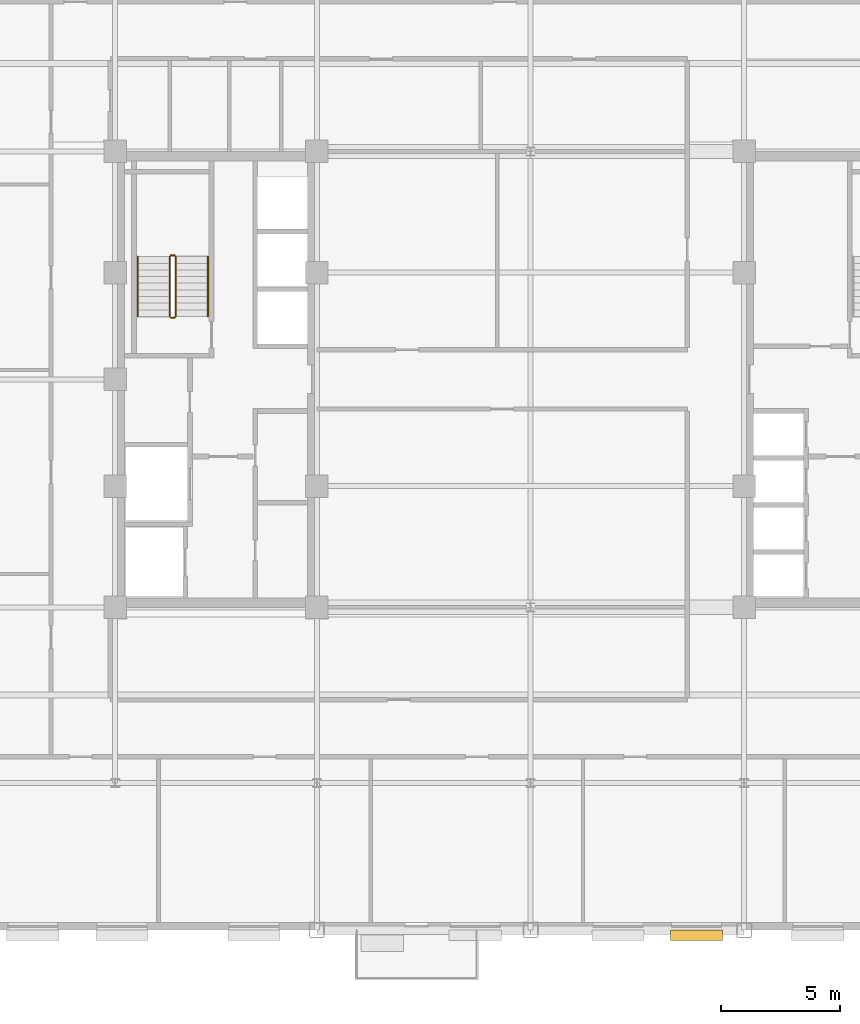
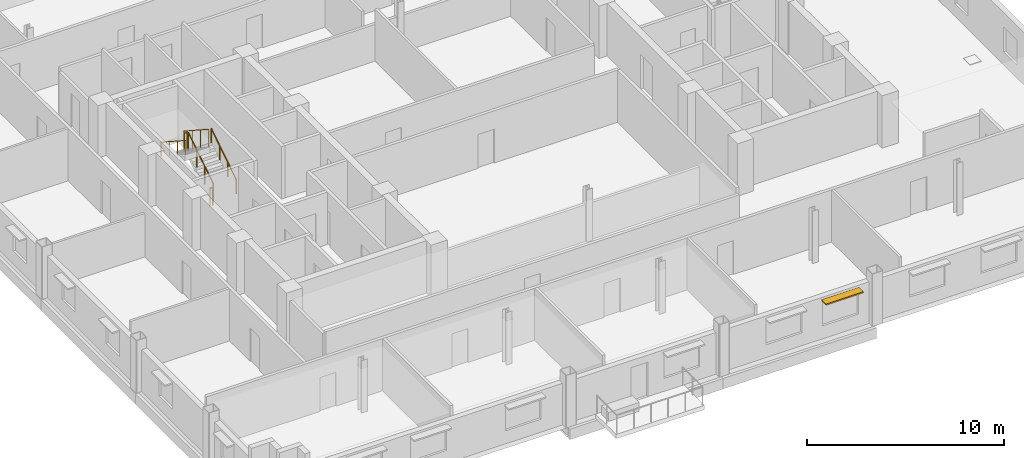
# One storey, part 12 of 14: 6 railings, 1 shading device.
"""IFC4 building model written with IfcOpenShell, lengths in metres."""

from ifc_helpers import new_model, si_unit, direction, frame, origin, origin_2d, place, context, subcontext, project, spatial, rectangle, circle, extrude, source, transform, mapped, material, type_object, type_shapes, element, save


model = new_model("IFC4")

# Units and contexts
model_context = context("Model", 3, precision=1e-05, world=origin(), true_north=direction((0.0, 1.0)))
body_context = subcontext(model_context, "Body", "Model", "MODEL_VIEW")
ifc_project = project(units=[si_unit("LENGTHUNIT", "METRE"), si_unit("AREAUNIT", "SQUARE_METRE"), si_unit("VOLUMEUNIT", "CUBIC_METRE"), si_unit("PLANEANGLEUNIT", "RADIAN"), si_unit("MASSUNIT", "GRAM", prefix="KILO")], contexts=[model_context])

# Site, building, storey
site_placement = place(None, origin())
site = spatial("IfcSite", under=ifc_project, at=site_placement, CompositionType="ELEMENT")
building_placement = place(site_placement, origin())
building = spatial("IfcBuilding", under=site, at=building_placement, Name="Nuvemarco Arch Tower", CompositionType="ELEMENT")
storey_placement = place(building_placement, frame((0.0, 0.0, 164.0)))
storey = spatial("IfcBuildingStorey", under=building, at=storey_placement, Name="L43", CompositionType="ELEMENT", Elevation=164.0)

# Railings
ifc_material_1 = material(Name="Brushed stainless steel handrail", Category="steel")
railing_type_1 = type_object("IfcRailingType", Name="RL-HANDRAIL-900", PredefinedType="HANDRAIL", material=ifc_material_1)
railing_1_placement = place(storey_placement, frame((-13.590087890625, 2.64990234375, 0.1826171875)))
element("IfcRailing", 1, at=railing_1_placement, inside=storey, type_object=railing_type_1, Name="L43 ST-1 stair handrail 1", PredefinedType="HANDRAIL", context=body_context, shape_type="SweptSolid", body=[
    extrude(circle(Radius=0.02392578125, at=origin_2d()), frame((0.0, 0.0, 0.8759765625), z_axis=(0.0, 0.837786554691, 0.545997883492), x_axis=(-1.0, 0.0, 0.0)), (0.0, 0.0, 1.0), 3.008056640625),
    extrude(circle(Radius=0.02099609375, at=origin_2d()), origin(), (0.0, 0.0, 1.0), 0.851806640625),
    extrude(circle(Radius=0.02099609375, at=origin_2d()), frame((0.0, 0.840087890625, 0.54736328125)), (0.0, 0.0, 1.0), 0.851806640625),
    extrude(circle(Radius=0.02099609375, at=origin_2d()), frame((0.0, 1.679931640625, 1.094970703125)), (0.0, 0.0, 1.0), 0.851806640625),
    extrude(circle(Radius=0.02099609375, at=origin_2d()), frame((0.0, 2.52001953125, 1.642333984375)), (0.0, 0.0, 1.0), 0.851806640625),
])
railing_2_placement = place(storey_placement, frame((-16.550048828125, 5.169921875, 2.007568359375)))
element("IfcRailing", 2, at=railing_2_placement, inside=storey, type_object=railing_type_1, Name="L43 ST-1 stair handrail 2", PredefinedType="HANDRAIL", context=body_context, shape_type="SweptSolid", body=[
    extrude(circle(Radius=0.02392578125, at=origin_2d()), frame((0.0, 0.0, 0.8759765625), z_axis=(0.0, -0.837786554691, 0.545997883492), x_axis=(1.0, 0.0, 0.0)), (0.0, 0.0, 1.0), 3.008056640625),
    extrude(circle(Radius=0.02099609375, at=origin_2d()), origin(), (0.0, 0.0, 1.0), 0.851806640625),
    extrude(circle(Radius=0.02099609375, at=origin_2d()), frame((0.0, -0.840087890625, 0.54736328125)), (0.0, 0.0, 1.0), 0.851806640625),
    extrude(circle(Radius=0.02099609375, at=origin_2d()), frame((0.0, -1.679931640625, 1.094970703125)), (0.0, 0.0, 1.0), 0.851806640625),
    extrude(circle(Radius=0.02099609375, at=origin_2d()), frame((0.0, -2.52001953125, 1.642333984375)), (0.0, 0.0, 1.0), 0.851806640625),
])
ifc_material_2 = material(Name="Painted balustrade steel S355", Category="steel")
railing_type_2 = type_object("IfcRailingType", Name="RL-STAIR-GUARD", PredefinedType="GUARDRAIL", material=ifc_material_2)
railing_3_placement = place(storey_placement, frame((-14.93994140625, 2.64990234375, 0.1826171875)))
element("IfcRailing", 3, at=railing_3_placement, inside=storey, type_object=railing_type_2, Name="L43 ST-1 stair guard 1", PredefinedType="GUARDRAIL", context=body_context, shape_type="SweptSolid", body=[
    extrude(circle(Radius=0.02392578125, at=origin_2d()), frame((0.0, 0.0, 1.09619140625), z_axis=(0.0, 0.837786554691, 0.545997883492), x_axis=(-1.0, 0.0, 0.0)), (0.0, 0.0, 1.0), 3.008056640625),
    extrude(circle(Radius=0.02099609375, at=origin_2d()), origin(), (0.0, 0.0, 1.0), 1.072021484375),
    extrude(circle(Radius=0.02099609375, at=origin_2d()), frame((0.0, 0.840087890625, 0.54736328125)), (0.0, 0.0, 1.0), 1.072021484375),
    extrude(circle(Radius=0.02099609375, at=origin_2d()), frame((0.0, 1.679931640625, 1.094970703125)), (0.0, 0.0, 1.0), 1.072021484375),
    extrude(circle(Radius=0.02099609375, at=origin_2d()), frame((0.0, 2.52001953125, 1.642333984375)), (0.0, 0.0, 1.0), 1.072021484375),
])
railing_4_placement = place(storey_placement, frame((-14.989990234375, 5.219970703125, 1.824951171875)))
element("IfcRailing", 4, at=railing_4_placement, inside=storey, type_object=railing_type_2, Name="L43 ST-1 stair guard 2", PredefinedType="GUARDRAIL", context=body_context, shape_type="SweptSolid", body=[
    extrude(circle(Radius=0.02392578125, at=origin_2d()), frame((0.0, 0.0, 1.09619140625), z_axis=(-1.0, 0.0, 0.0), x_axis=(0.0, -1.0, 0.0)), (0.0, 0.0, 1.0), 0.159912109375),
    extrude(circle(Radius=0.02099609375, at=origin_2d()), origin(), (0.0, 0.0, 1.0), 1.072021484375),
    extrude(circle(Radius=0.02099609375, at=origin_2d()), frame((-0.159912109375, 0.0, 0.0)), (0.0, 0.0, 1.0), 1.072021484375),
])
railing_5_placement = place(storey_placement, frame((-15.199951171875, 5.169921875, 2.007568359375)))
element("IfcRailing", 5, at=railing_5_placement, inside=storey, type_object=railing_type_2, Name="L43 ST-1 stair guard 3", PredefinedType="GUARDRAIL", context=body_context, shape_type="SweptSolid", body=[
    extrude(circle(Radius=0.02392578125, at=origin_2d()), frame((0.0, 0.0, 1.09619140625), z_axis=(0.0, -0.837786554691, 0.545997883492), x_axis=(1.0, 0.0, 0.0)), (0.0, 0.0, 1.0), 3.008056640625),
    extrude(circle(Radius=0.02099609375, at=origin_2d()), origin(), (0.0, 0.0, 1.0), 1.072021484375),
    extrude(circle(Radius=0.02099609375, at=origin_2d()), frame((0.0, -0.840087890625, 0.54736328125)), (0.0, 0.0, 1.0), 1.072021484375),
    extrude(circle(Radius=0.02099609375, at=origin_2d()), frame((0.0, -1.679931640625, 1.094970703125)), (0.0, 0.0, 1.0), 1.072021484375),
    extrude(circle(Radius=0.02099609375, at=origin_2d()), frame((0.0, -2.52001953125, 1.642333984375)), (0.0, 0.0, 1.0), 1.072021484375),
])
railing_6_placement = place(storey_placement, frame((-14.989990234375, 2.60009765625, 0.0)))
element("IfcRailing", 6, at=railing_6_placement, inside=storey, type_object=railing_type_2, Name="L43 ST-1 stair guard 4", PredefinedType="GUARDRAIL", context=body_context, shape_type="SweptSolid", body=[
    extrude(circle(Radius=0.02392578125, at=origin_2d()), frame((0.0, 0.0, 1.09619140625), z_axis=(-1.0, 0.0, 0.0), x_axis=(0.0, -1.0, 0.0)), (0.0, 0.0, 1.0), 0.159912109375),
    extrude(circle(Radius=0.02099609375, at=origin_2d()), origin(), (0.0, 0.0, 1.0), 1.072021484375),
    extrude(circle(Radius=0.02099609375, at=origin_2d()), frame((-0.159912109375, 0.0, 0.0)), (0.0, 0.0, 1.0), 1.072021484375),
])

# Shading device
ifc_material_3 = material(Name="Anodised aluminium 6063-T6", Category="aluminium")
shading_device_type = type_object("IfcShadingDeviceType", Name="SHD-BRISE-SOLEIL", PredefinedType="USERDEFINED", material=ifc_material_3)
shared_shape = source(origin(), body_context, "Body", "SweptSolid", [
    extrude(rectangle(XDim=2.199951171875, YDim=0.449951171875, at=origin_2d()), origin(), (0.0, 0.0, 1.0), 0.080078125),
])
type_shapes(shading_device_type, [shared_shape])
shading_device_placement = place(storey_placement, frame((6.989990234375, -23.4150390625, 2.364990234375), z_axis=(0.0, 0.0, 1.0), x_axis=(1.0, 0.0, 0.0)))
element("IfcShadingDevice", 7, at=shading_device_placement, inside=storey, type_object=shading_device_type, Name="L43 horizontal brise-soleil sunshade", ObjectType="SUNSHADE", PredefinedType="USERDEFINED", context=body_context, shape_type="MappedRepresentation", body=[
    mapped(shared_shape, transform((0.0, 0.0, 0.0), scale=1.0)),
])

save(model, "model.ifc")
